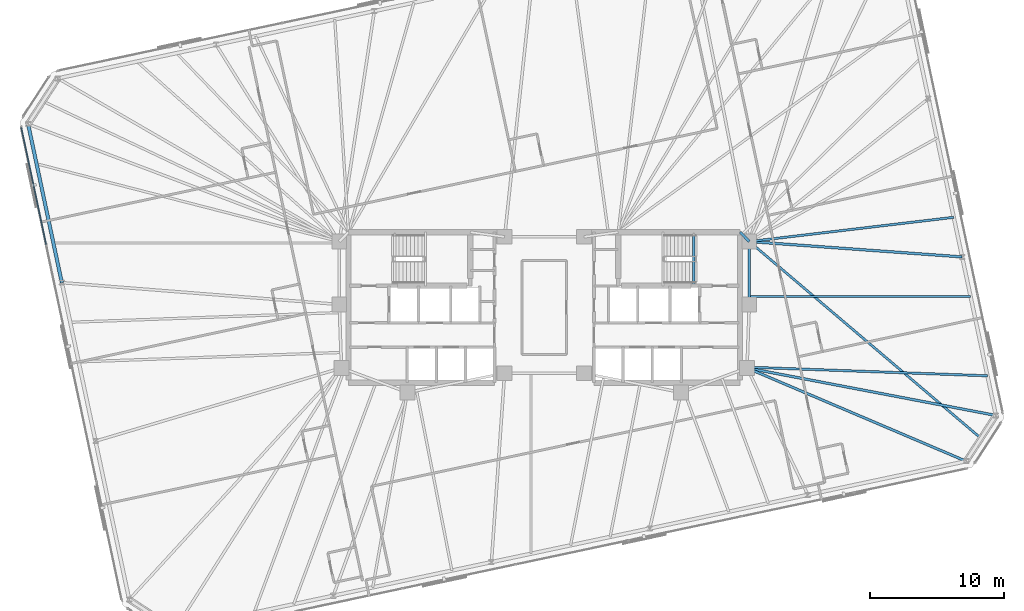
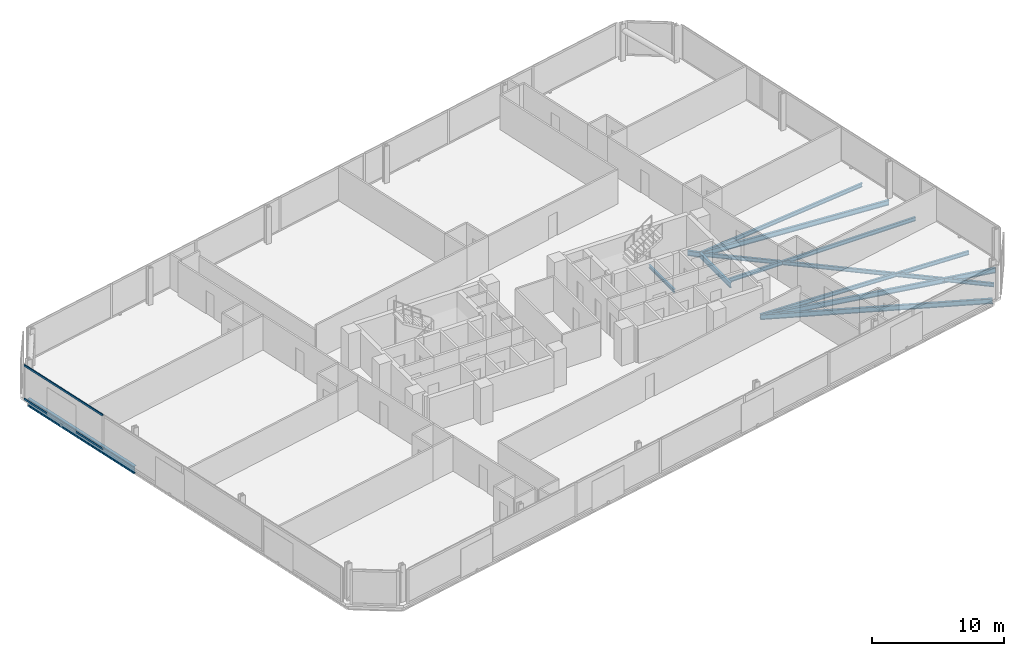
# One storey, part 8 of 19: 11 beams, 2 members, 1 element without a shape of its own.
"""IFC4 building model written with IfcOpenShell, lengths in metres."""

import ifcopenshell
import ifcopenshell.guid

model = None  # the IFC model being written
_history = None  # IfcOwnerHistory: only IFC2X3 demands one
_inside = {}  # id of a spatial element -> (the spatial element, [elements in it])
_under = {}  # id of a project, library or spatial element -> (it, [spatial elements below it])
_declared = {}  # id of a project -> (the project, [libraries it declares])
_typed = {}  # id of a type object -> (the type object, [elements of that type])
_made_of = {}  # id of a material, layer set ... -> (it, [elements and type objects made of it])


def new_model(schema):
    """Start an empty IFC model of exactly this schema.

    Asked for "IFC4X3", IfcOpenShell would pick the latest addendum, in which some entities
    have other attributes; the version numbers below select the first issue.
    IFC2X3 requires an IfcOwnerHistory on every rooted entity: one is made here for all.
    """
    global model, _history
    if schema == "IFC4X3":
        model = ifcopenshell.file(schema_version=(4, 3, 0, 0))
    else:
        model = ifcopenshell.file(schema=schema)
    _inside.clear()
    _under.clear()
    _declared.clear()
    _typed.clear()
    _made_of.clear()
    _history = None
    if model.schema == "IFC2X3":
        org = make("IfcOrganization", Name="unknown")
        user = make(
            "IfcPersonAndOrganization",
            ThePerson=make("IfcPerson", FamilyName="unknown"),
            TheOrganization=org,
        )
        app = make(
            "IfcApplication",
            ApplicationDeveloper=org,
            Version="unknown",
            ApplicationFullName="unknown",
            ApplicationIdentifier="unknown",
        )
        _history = make(
            "IfcOwnerHistory",
            OwningUser=user,
            OwningApplication=app,
            ChangeAction="ADDED",
            CreationDate=0,
        )
    return model


def make(cls, **values):
    """One entity of the class cls with the attributes given. An attribute that is None is left unset."""
    return model.create_entity(
        cls, **{name: value for name, value in values.items() if value is not None}
    )


def rooted(cls, **values):
    """An entity with a GlobalId (a new one), such as an element, a storey or a relation."""
    return make(cls, GlobalId=ifcopenshell.guid.new(), OwnerHistory=_history, **values)


def si_unit(unit_type, name, prefix=None):
    """IfcSIUnit, for example si_unit("LENGTHUNIT", "METRE", prefix="MILLI")."""
    return make("IfcSIUnit", UnitType=unit_type, Prefix=prefix, Name=name)


def assignment(units):
    """IfcUnitAssignment: the units of a project."""
    return None if units is None else make("IfcUnitAssignment", Units=units)


def point(xyz):
    """IfcCartesianPoint."""
    return None if xyz is None else make("IfcCartesianPoint", Coordinates=xyz)


def direction(xyz):
    """IfcDirection."""
    return None if xyz is None else make("IfcDirection", DirectionRatios=xyz)


def frame(location, z_axis=None, x_axis=None):
    """IfcAxis2Placement3D, a coordinate frame: its origin and axes. An axis left out is left unset."""
    return make(
        "IfcAxis2Placement3D",
        Location=point(location),
        Axis=direction(z_axis),
        RefDirection=direction(x_axis),
    )


def frame_2d(location, x_axis=None):
    """IfcAxis2Placement2D, a coordinate frame in the plane: its origin and x axis."""
    return make(
        "IfcAxis2Placement2D", Location=point(location), RefDirection=direction(x_axis)
    )


def origin():
    """The frame at (0, 0, 0) with its axes left unset."""
    return frame((0.0, 0.0, 0.0))


def origin_2d():
    """The frame at (0, 0) in the plane with its x axis left unset."""
    return frame_2d((0.0, 0.0))


def place(relative_to, where):
    """IfcLocalPlacement: puts the frame where relative to a parent placement (None: the world)."""
    return make(
        "IfcLocalPlacement", PlacementRelTo=relative_to, RelativePlacement=where
    )


def context(
    kind, dimensions, precision=None, world=None, true_north=None, identifier=None
):
    """IfcGeometricRepresentationContext, for example the 3D "Model" context."""
    return make(
        "IfcGeometricRepresentationContext",
        ContextIdentifier=identifier,
        ContextType=kind,
        CoordinateSpaceDimension=dimensions,
        Precision=precision,
        WorldCoordinateSystem=world,
        TrueNorth=true_north,
    )


def subcontext(parent, identifier, kind, view, scale=None):
    """IfcGeometricRepresentationSubContext, for example "Body" below "Model"."""
    return make(
        "IfcGeometricRepresentationSubContext",
        ContextIdentifier=identifier,
        ContextType=kind,
        ParentContext=parent,
        TargetScale=scale,
        TargetView=view,
    )


def project(units=None, contexts=None):
    """IfcProject with its units and contexts."""
    return rooted(
        "IfcProject",
        Name="project",
        RepresentationContexts=contexts,
        UnitsInContext=assignment(units),
    )


def spatial(cls, under=None, at=None, **own):
    """A site, building, storey or space (cls), placed at a placement, below another one or the project."""
    s = rooted(cls, ObjectPlacement=at, **own)
    if under is not None:
        _under.setdefault(under.id(), (under, []))[1].append(s)
    return s


def profile(cls, at=None, kind="AREA", **sizes):
    """A parametric profile (cls). Its sizes go by their IFC names, for example OverallWidth=200.0."""
    return make(cls, ProfileType=kind, Position=at, **sizes)


def rectangle(**sizes):
    """IfcRectangleProfileDef."""
    return profile("IfcRectangleProfileDef", **sizes)


def i_section(**sizes):
    """IfcIShapeProfileDef."""
    return profile("IfcIShapeProfileDef", **sizes)


def extrude(swept, where, along, depth):
    """IfcExtrudedAreaSolid: the profile swept, set in the frame where, extruded along a direction by depth."""
    return make(
        "IfcExtrudedAreaSolid",
        SweptArea=swept,
        Position=where,
        ExtrudedDirection=direction(along),
        Depth=depth,
    )


def shape(context_of_items, identifier, shape_type, items):
    """IfcShapeRepresentation: the items that make up one representation, for example the "Body"."""
    return make(
        "IfcShapeRepresentation",
        ContextOfItems=context_of_items,
        RepresentationIdentifier=identifier,
        RepresentationType=shape_type,
        Items=items,
    )


def material(Name=None, Category=None):
    """IfcMaterial."""
    return make("IfcMaterial", Name=Name, Category=Category)


def material_profile(
    of_material, cross_section, Name=None, Category=None, Priority=None
):
    """IfcMaterialProfile: a cross section and its material."""
    return make(
        "IfcMaterialProfile",
        Name=Name,
        Material=of_material,
        Profile=cross_section,
        Priority=Priority,
        Category=Category,
    )


def profile_set(profiles, Name=None, composite=None):
    """IfcMaterialProfileSet."""
    return make(
        "IfcMaterialProfileSet",
        Name=Name,
        MaterialProfiles=profiles,
        CompositeProfile=composite,
    )


def made_of(thing, what):
    """Note that an element or type object is made of a material, layer set ...; save() writes the relation."""
    if what is not None:
        _made_of.setdefault(what.id(), (what, []))[1].append(thing)
    return thing


def type_object(cls, material=None, **own):
    """A type object (cls), such as IfcWallType, which elements share."""
    return made_of(rooted(cls, **own), material)


def element(
    cls,
    number,
    at=None,
    inside=None,
    cuts=None,
    type_object=None,
    material=None,
    context=None,
    identifier="Body",
    shape_type=None,
    held_by="IfcProductDefinitionShape",
    body=None,
    shapes=None,
    **own,
):
    """One element of the class cls, such as IfcWall. Its Tag is "e" and its number.

    at: its placement. inside: the storey or other place that contains it. cuts: it is an
    opening in that element (IfcRelVoidsElement). A single representation is given by context,
    identifier, shape_type and body (its items); several are given by shapes. held_by: the class
    of the entity that holds the representations. save() writes the other relations.
    """
    e = rooted(cls, Tag="e%d" % number, ObjectPlacement=at, **own)
    if body is not None:
        shapes = [shape(context, identifier, shape_type, body)]
    if shapes is not None:
        e.Representation = make(held_by, Representations=shapes)
    if inside is not None:
        _inside.setdefault(inside.id(), (inside, []))[1].append(e)
    if cuts is not None:
        rooted(
            "IfcRelVoidsElement", RelatingBuildingElement=cuts, RelatedOpeningElement=e
        )
    if type_object is not None:
        _typed.setdefault(type_object.id(), (type_object, []))[1].append(e)
    return made_of(e, material)


def aggregate(whole, parts):
    """IfcRelAggregates: a whole, such as a stair, and the parts it consists of."""
    return rooted("IfcRelAggregates", RelatingObject=whole, RelatedObjects=parts)


def save(model, path):
    """Write the relations noted so far, then the file.

    IfcRelAggregates (storeys below a building ...), IfcRelContainedInSpatialStructure (elements
    in a storey), IfcRelDefinesByType, IfcRelAssociatesMaterial and IfcRelDeclares: one each for
    every whole, place, type object, material and project.
    """
    for whole, parts in _under.values():
        aggregate(whole, parts)
    for where, things in _inside.values():
        rooted(
            "IfcRelContainedInSpatialStructure",
            RelatedElements=things,
            RelatingStructure=where,
        )
    for kind, things in _typed.values():
        rooted("IfcRelDefinesByType", RelatedObjects=things, RelatingType=kind)
    for what, things in _made_of.values():
        rooted("IfcRelAssociatesMaterial", RelatedObjects=things, RelatingMaterial=what)
    for by, libraries in _declared.values():
        rooted("IfcRelDeclares", RelatingContext=by, RelatedDefinitions=libraries)
    model.write(path)


model = new_model("IFC4")

# Units and contexts
model_context = context("Model", 3, precision=1e-05, world=origin(), true_north=direction((0.0, 1.0)))
body_context = subcontext(model_context, "Body", "Model", "MODEL_VIEW")
ifc_project = project(units=[si_unit("LENGTHUNIT", "METRE"), si_unit("AREAUNIT", "SQUARE_METRE"), si_unit("VOLUMEUNIT", "CUBIC_METRE"), si_unit("PLANEANGLEUNIT", "RADIAN"), si_unit("MASSUNIT", "GRAM", prefix="KILO")], contexts=[model_context])

# Site, building, storey
site_placement = place(None, origin())
site = spatial("IfcSite", under=ifc_project, at=site_placement, CompositionType="ELEMENT")
building_placement = place(site_placement, origin())
building = spatial("IfcBuilding", under=site, at=building_placement, Name="Menara Jurai Vektor", CompositionType="ELEMENT")
storey_placement = place(building_placement, frame((0.0, 0.0, 192.199951171875)))
storey = spatial("IfcBuildingStorey", under=building, at=storey_placement, Name="L50", CompositionType="ELEMENT", Elevation=192.199951171875)

# Curtain wall, members
ifc_material_1 = material(Name="Anodised Pale Aluminium & Low-E Double Glazing", Category="aluminium")
curtain_wall_type = type_object("IfcCurtainWallType", Name="CW-BLK3", PredefinedType="NOTDEFINED", material=ifc_material_1)
curtain_wall_placement = place(storey_placement, origin())
curtain_wall = element("IfcCurtainWall", 1, at=curtain_wall_placement, inside=storey, type_object=curtain_wall_type, Name="Unitised Curtain Wall L50 F07", PredefinedType="NOTDEFINED")
ifc_material_2 = material(Name="Anodised Pale Aluminium Transom", Category="aluminium")
ifc_material_profile_1 = material_profile(ifc_material_2, rectangle(XDim=0.0849609375, YDim=0.175048828125, at=origin_2d()), Name="ALU TRN 85x175")
ifc_profile_set_1 = profile_set([ifc_material_profile_1], Name="Anodised Pale Aluminium Transom")
member_type = type_object("IfcMemberType", Name="CW-BLK3-TRN", PredefinedType="USERDEFINED", material=ifc_profile_set_1)
member_1_placement = place(storey_placement, frame((-38.896728515625, 13.378173828125, 0.04248046875), z_axis=(0.207899517354, -0.978150188204, 0.0), x_axis=(0.978150188204, 0.207899517354, 0.0)))
member_1 = element("IfcMember", 2, at=member_1_placement, type_object=member_type, Name="CW-03 transom 1.1", ObjectType="TRANSOM", PredefinedType="USERDEFINED", context=body_context, shape_type="SweptSolid", body=[
    extrude(rectangle(XDim=0.0849609375, YDim=0.175048828125, at=origin_2d()), origin(), (0.0, 0.0, 1.0), 8.882568359375),
])
member_2_placement = place(storey_placement, frame((-38.896728515625, 13.378173828125, 3.132568359375), z_axis=(0.207899517354, -0.978150188204, 0.0), x_axis=(0.978150188204, 0.207899517354, 0.0)))
member_2 = element("IfcMember", 3, at=member_2_placement, type_object=member_type, Name="CW-03 transom 1.2", ObjectType="TRANSOM", PredefinedType="USERDEFINED", context=body_context, shape_type="SweptSolid", body=[
    extrude(rectangle(XDim=0.0849609375, YDim=0.175048828125, at=origin_2d()), origin(), (0.0, 0.0, 1.0), 8.882568359375),
])
aggregate(curtain_wall, [member_1, member_2])

# Beams
ifc_material_3 = material(Name="Steel S355", Category="steel")
ifc_material_profile_2 = material_profile(ifc_material_3, i_section(OverallWidth=0.19091796875, OverallDepth=0.4599609375, WebThickness=0.010009765625, FlangeThickness=0.01611328125, FilletRadius=0.010009765625, at=origin_2d()), Name="UKB 457x191x82")
ifc_profile_set_2 = profile_set([ifc_material_profile_2], Name="Steel S355")
beam_type_1 = type_object("IfcBeamType", Name="STR-BM-457", PredefinedType="BEAM", material=ifc_profile_set_2)
beam_1_placement = place(storey_placement, frame((14.56005859375, 5.60009765625, -0.454833984375), z_axis=(0.701871936926, -0.712303154672, 0.0), x_axis=(0.712303154672, 0.701871936926, 0.0)))
element("IfcBeam", 4, at=beam_1_placement, inside=storey, type_object=beam_type_1, Name="Core Ring Header Girder L50-CHE-N2", PredefinedType="BEAM", context=body_context, shape_type="SweptSolid", body=[
    extrude(i_section(OverallWidth=0.19091796875, OverallDepth=0.4599609375, WebThickness=0.010009765625, FlangeThickness=0.01611328125, FilletRadius=0.010009765625, at=origin_2d()), origin(), (0.0, 0.0, 1.0), 0.98291015625),
])
beam_2_placement = place(storey_placement, frame((15.25, 0.219970703125, -0.454833984375), z_axis=(0.0, 1.0, 0.0), x_axis=(-1.0, 0.0, 0.0)))
element("IfcBeam", 5, at=beam_2_placement, inside=storey, type_object=beam_type_1, Name="Core Ring Header Girder L50-CHE-E1", PredefinedType="BEAM", context=body_context, shape_type="SweptSolid", body=[
    extrude(i_section(OverallWidth=0.19091796875, OverallDepth=0.4599609375, WebThickness=0.010009765625, FlangeThickness=0.01611328125, FilletRadius=0.010009765625, at=origin_2d()), origin(), (0.0, 0.0, 1.0), 4.679931640625),
])
beam_3_placement = place(storey_placement, frame((31.376220703125, -11.438720703125, -0.454833984375), z_axis=(-0.920069342045, 0.391755543458, 0.0), x_axis=(-0.391755543458, -0.920069342045, 0.0)))
element("IfcBeam", 6, at=beam_3_placement, inside=storey, type_object=beam_type_1, Name="Radial Floor Girder L50-S6", PredefinedType="BEAM", context=body_context, shape_type="SweptSolid", body=[
    extrude(i_section(OverallWidth=0.19091796875, OverallDepth=0.4599609375, WebThickness=0.010009765625, FlangeThickness=0.01611328125, FilletRadius=0.010009765625, at=origin_2d()), origin(), (0.0, 0.0, 1.0), 17.7119140625),
])
beam_4_placement = place(storey_placement, frame((33.588623046875, -8.031982421875, -0.454833984375), z_axis=(-0.982274660407, 0.187447303322, 0.0), x_axis=(-0.187447303322, -0.982274660407, 0.0)))
element("IfcBeam", 7, at=beam_4_placement, inside=storey, type_object=beam_type_1, Name="Radial Floor Girder L50-E1", PredefinedType="BEAM", context=body_context, shape_type="SweptSolid", body=[
    extrude(i_section(OverallWidth=0.19091796875, OverallDepth=0.4599609375, WebThickness=0.010009765625, FlangeThickness=0.01611328125, FilletRadius=0.010009765625, at=origin_2d()), origin(), (0.0, 0.0, 1.0), 18.842529296875),
])
beam_5_placement = place(storey_placement, frame((31.082763671875, 3.75634765625, -0.454833984375), z_axis=(-0.997401783921, 0.072039443584, 0.0), x_axis=(-0.072039443584, -0.997401783921, 0.0)))
element("IfcBeam", 8, at=beam_5_placement, inside=storey, type_object=beam_type_1, Name="Radial Floor Girder L50-E2", PredefinedType="BEAM", context=body_context, shape_type="SweptSolid", body=[
    extrude(i_section(OverallWidth=0.19091796875, OverallDepth=0.4599609375, WebThickness=0.010009765625, FlangeThickness=0.01611328125, FilletRadius=0.010009765625, at=origin_2d()), origin(), (0.0, 0.0, 1.0), 15.8740234375),
])
ifc_material_profile_3 = material_profile(ifc_material_3, i_section(OverallWidth=0.172119140625, OverallDepth=0.35498046875, WebThickness=0.007080078125, FlangeThickness=0.011962890625, FilletRadius=0.010009765625, at=origin_2d()), Name="UKB 356x171x51")
ifc_profile_set_3 = profile_set([ifc_material_profile_3], Name="Steel S355")
beam_type_2 = type_object("IfcBeamType", Name="STR-JS-356", PredefinedType="JOIST", material=ifc_profile_set_3)
beam_6_placement = place(storey_placement, frame((32.482421875, -9.7353515625, -0.40234375), z_axis=(-0.762207822165, 0.6473323998, 0.0), x_axis=(-0.6473323998, -0.762207822165, 0.0)))
element("IfcBeam", 9, at=beam_6_placement, inside=storey, type_object=beam_type_2, Name="Radial Secondary Floor Joist L50-JS10", PredefinedType="JOIST", context=body_context, shape_type="SweptSolid", body=[
    extrude(i_section(OverallWidth=0.172119140625, OverallDepth=0.35498046875, WebThickness=0.007080078125, FlangeThickness=0.011962890625, FilletRadius=0.010009765625, at=origin_2d()), origin(), (0.0, 0.0, 1.0), 22.608642578125),
])
beam_7_placement = place(storey_placement, frame((32.962158203125, -5.0849609375, -0.40234375), z_axis=(-0.999351908775, 0.035996700238, 0.0), x_axis=(-0.035996700238, -0.999351908775, 0.0)))
element("IfcBeam", 10, at=beam_7_placement, inside=storey, type_object=beam_type_2, Name="Radial Secondary Floor Joist L50-JS11", PredefinedType="JOIST", context=body_context, shape_type="SweptSolid", body=[
    extrude(i_section(OverallWidth=0.172119140625, OverallDepth=0.35498046875, WebThickness=0.007080078125, FlangeThickness=0.011962890625, FilletRadius=0.010009765625, at=origin_2d()), origin(), (0.0, 0.0, 1.0), 17.8916015625),
])
beam_8_placement = place(storey_placement, frame((31.709228515625, 0.809326171875, -0.40234375), z_axis=(-1.0, 0.0, 0.0), x_axis=(0.0, -1.0, 0.0)))
element("IfcBeam", 11, at=beam_8_placement, inside=storey, type_object=beam_type_2, Name="Radial Secondary Floor Joist L50-JS12", PredefinedType="JOIST", context=body_context, shape_type="SweptSolid", body=[
    extrude(i_section(OverallWidth=0.172119140625, OverallDepth=0.35498046875, WebThickness=0.007080078125, FlangeThickness=0.011962890625, FilletRadius=0.010009765625, at=origin_2d()), origin(), (0.0, 0.0, 1.0), 16.459228515625),
])
beam_9_placement = place(storey_placement, frame((30.456298828125, 6.70361328125, -0.40234375), z_axis=(-0.993038492178, -0.11779029269, 0.0), x_axis=(0.11779029269, -0.993038492178, 0.0)))
element("IfcBeam", 12, at=beam_9_placement, inside=storey, type_object=beam_type_2, Name="Radial Secondary Floor Joist L50-JS13", PredefinedType="JOIST", context=body_context, shape_type="SweptSolid", body=[
    extrude(i_section(OverallWidth=0.172119140625, OverallDepth=0.35498046875, WebThickness=0.007080078125, FlangeThickness=0.011962890625, FilletRadius=0.010009765625, at=origin_2d()), origin(), (0.0, 0.0, 1.0), 15.31298828125),
])
ifc_material_profile_4 = material_profile(ifc_material_3, i_section(OverallWidth=0.1650390625, OverallDepth=0.302978515625, WebThickness=0.006103515625, FlangeThickness=0.010009765625, FilletRadius=0.009033203125, at=origin_2d()), Name="UKB 305x165x40")
ifc_profile_set_4 = profile_set([ifc_material_profile_4], Name="Steel S355")
beam_type_3 = type_object("IfcBeamType", Name="STR-LN-305", PredefinedType="LINTEL", material=ifc_profile_set_4)
beam_10_placement = place(storey_placement, frame((11.1201171875, 1.60009765625, -0.37646484375), z_axis=(0.0, 1.0, 0.0), x_axis=(-1.0, 0.0, 0.0)))
element("IfcBeam", 13, at=beam_10_placement, inside=storey, type_object=beam_type_3, Name="Stair Well Floor Trimmer ST2 L50", PredefinedType="LINTEL", context=body_context, shape_type="SweptSolid", body=[
    extrude(i_section(OverallWidth=0.1650390625, OverallDepth=0.302978515625, WebThickness=0.006103515625, FlangeThickness=0.010009765625, FilletRadius=0.009033203125, at=origin_2d()), origin(), (0.0, 0.0, 1.0), 3.81982421875),
])
ifc_material_4 = material(Name="Steel S460", Category="steel")
ifc_material_profile_5 = material_profile(ifc_material_4, i_section(OverallWidth=0.256103515625, OverallDepth=0.693115234375, WebThickness=0.013916015625, FlangeThickness=0.02392578125, FilletRadius=0.014892578125, at=origin_2d()), Name="UKB 686x254x170")
ifc_profile_set_5 = profile_set([ifc_material_profile_5], Name="Steel S460")
beam_type_4 = type_object("IfcBeamType", Name="STR-SP-686", PredefinedType="SPANDREL", material=ifc_profile_set_5)
beam_11_placement = place(storey_placement, frame((-38.388671875, 13.632080078125, -0.571533203125), z_axis=(0.207921262698, -0.978145566119, 0.0), x_axis=(0.978145566119, 0.207921262698, 0.0)))
element("IfcBeam", 14, at=beam_11_placement, inside=storey, type_object=beam_type_4, Name="Exoskeleton Spandrel Beam L50-17", PredefinedType="SPANDREL", context=body_context, shape_type="SweptSolid", body=[
    extrude(i_section(OverallWidth=0.256103515625, OverallDepth=0.693115234375, WebThickness=0.013916015625, FlangeThickness=0.02392578125, FilletRadius=0.014892578125, at=origin_2d()), origin(), (0.0, 0.0, 1.0), 12.052001953125),
])

save(model, "model.ifc")
